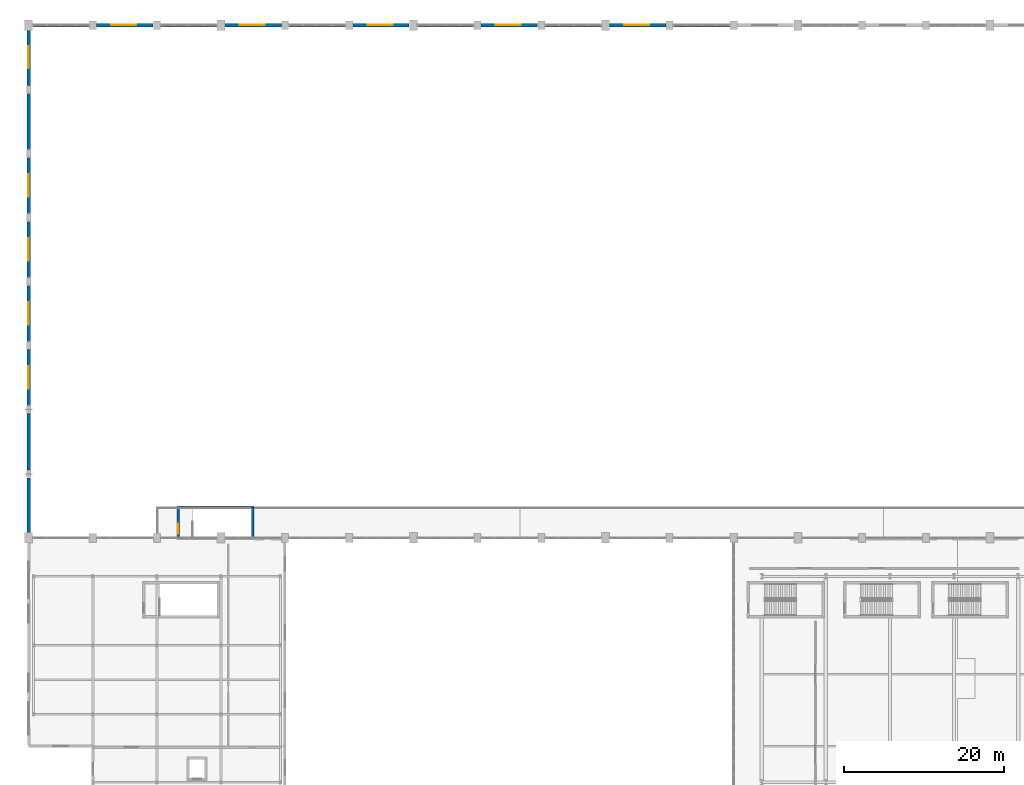
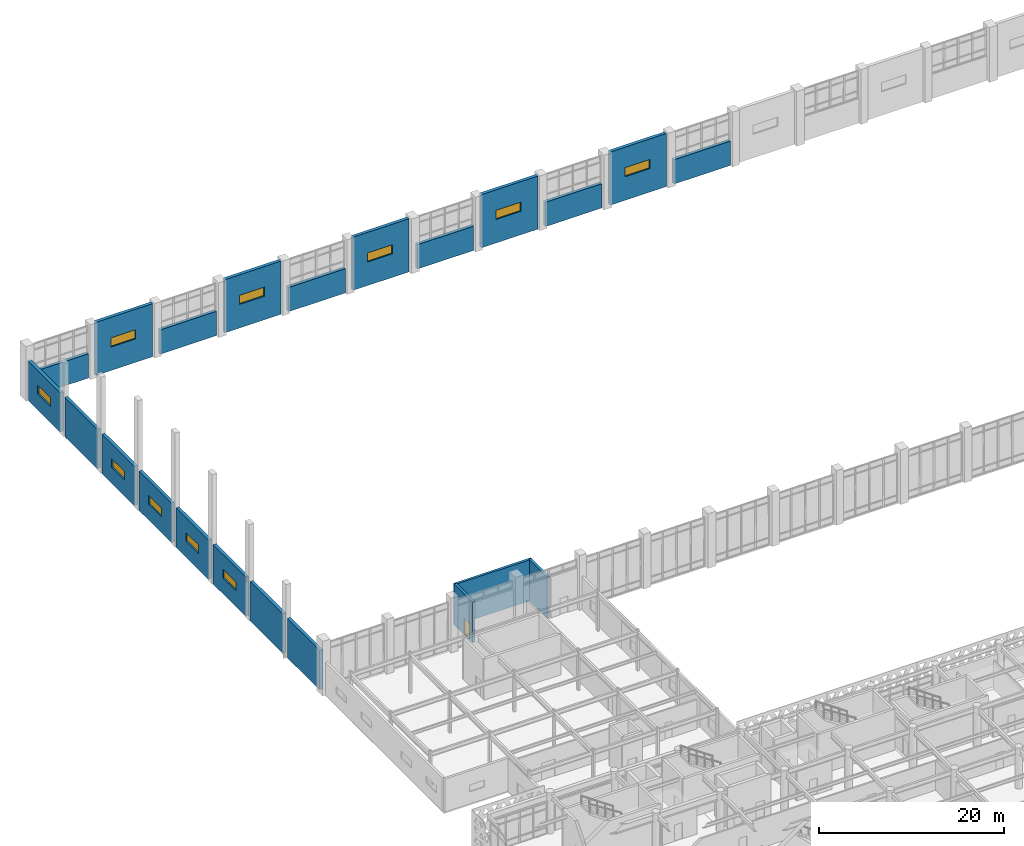
# One storey, part 66 of 84: 22 walls, 10 windows, 1 door, 11 openings.
"""IFC4 building model written with IfcOpenShell, lengths in metres."""

import ifcopenshell
import ifcopenshell.guid

model = None  # the IFC model being written
_history = None  # IfcOwnerHistory: only IFC2X3 demands one
_inside = {}  # id of a spatial element -> (the spatial element, [elements in it])
_under = {}  # id of a project, library or spatial element -> (it, [spatial elements below it])
_declared = {}  # id of a project -> (the project, [libraries it declares])
_typed = {}  # id of a type object -> (the type object, [elements of that type])
_made_of = {}  # id of a material, layer set ... -> (it, [elements and type objects made of it])


def new_model(schema):
    """Start an empty IFC model of exactly this schema.

    Asked for "IFC4X3", IfcOpenShell would pick the latest addendum, in which some entities
    have other attributes; the version numbers below select the first issue.
    IFC2X3 requires an IfcOwnerHistory on every rooted entity: one is made here for all.
    """
    global model, _history
    if schema == "IFC4X3":
        model = ifcopenshell.file(schema_version=(4, 3, 0, 0))
    else:
        model = ifcopenshell.file(schema=schema)
    _inside.clear()
    _under.clear()
    _declared.clear()
    _typed.clear()
    _made_of.clear()
    _history = None
    if model.schema == "IFC2X3":
        org = make("IfcOrganization", Name="unknown")
        user = make(
            "IfcPersonAndOrganization",
            ThePerson=make("IfcPerson", FamilyName="unknown"),
            TheOrganization=org,
        )
        app = make(
            "IfcApplication",
            ApplicationDeveloper=org,
            Version="unknown",
            ApplicationFullName="unknown",
            ApplicationIdentifier="unknown",
        )
        _history = make(
            "IfcOwnerHistory",
            OwningUser=user,
            OwningApplication=app,
            ChangeAction="ADDED",
            CreationDate=0,
        )
    return model


def make(cls, **values):
    """One entity of the class cls with the attributes given. An attribute that is None is left unset."""
    return model.create_entity(
        cls, **{name: value for name, value in values.items() if value is not None}
    )


def rooted(cls, **values):
    """An entity with a GlobalId (a new one), such as an element, a storey or a relation."""
    return make(cls, GlobalId=ifcopenshell.guid.new(), OwnerHistory=_history, **values)


def si_unit(unit_type, name, prefix=None):
    """IfcSIUnit, for example si_unit("LENGTHUNIT", "METRE", prefix="MILLI")."""
    return make("IfcSIUnit", UnitType=unit_type, Prefix=prefix, Name=name)


def assignment(units):
    """IfcUnitAssignment: the units of a project."""
    return None if units is None else make("IfcUnitAssignment", Units=units)


def point(xyz):
    """IfcCartesianPoint."""
    return None if xyz is None else make("IfcCartesianPoint", Coordinates=xyz)


def direction(xyz):
    """IfcDirection."""
    return None if xyz is None else make("IfcDirection", DirectionRatios=xyz)


def frame(location, z_axis=None, x_axis=None):
    """IfcAxis2Placement3D, a coordinate frame: its origin and axes. An axis left out is left unset."""
    return make(
        "IfcAxis2Placement3D",
        Location=point(location),
        Axis=direction(z_axis),
        RefDirection=direction(x_axis),
    )


def frame_2d(location, x_axis=None):
    """IfcAxis2Placement2D, a coordinate frame in the plane: its origin and x axis."""
    return make(
        "IfcAxis2Placement2D", Location=point(location), RefDirection=direction(x_axis)
    )


def origin():
    """The frame at (0, 0, 0) with its axes left unset."""
    return frame((0.0, 0.0, 0.0))


def place(relative_to, where):
    """IfcLocalPlacement: puts the frame where relative to a parent placement (None: the world)."""
    return make(
        "IfcLocalPlacement", PlacementRelTo=relative_to, RelativePlacement=where
    )


def context(
    kind, dimensions, precision=None, world=None, true_north=None, identifier=None
):
    """IfcGeometricRepresentationContext, for example the 3D "Model" context."""
    return make(
        "IfcGeometricRepresentationContext",
        ContextIdentifier=identifier,
        ContextType=kind,
        CoordinateSpaceDimension=dimensions,
        Precision=precision,
        WorldCoordinateSystem=world,
        TrueNorth=true_north,
    )


def subcontext(parent, identifier, kind, view, scale=None):
    """IfcGeometricRepresentationSubContext, for example "Body" below "Model"."""
    return make(
        "IfcGeometricRepresentationSubContext",
        ContextIdentifier=identifier,
        ContextType=kind,
        ParentContext=parent,
        TargetScale=scale,
        TargetView=view,
    )


def project(units=None, contexts=None):
    """IfcProject with its units and contexts."""
    return rooted(
        "IfcProject",
        Name="project",
        RepresentationContexts=contexts,
        UnitsInContext=assignment(units),
    )


def spatial(cls, under=None, at=None, **own):
    """A site, building, storey or space (cls), placed at a placement, below another one or the project."""
    s = rooted(cls, ObjectPlacement=at, **own)
    if under is not None:
        _under.setdefault(under.id(), (under, []))[1].append(s)
    return s


def profile(cls, at=None, kind="AREA", **sizes):
    """A parametric profile (cls). Its sizes go by their IFC names, for example OverallWidth=200.0."""
    return make(cls, ProfileType=kind, Position=at, **sizes)


def rectangle(**sizes):
    """IfcRectangleProfileDef."""
    return profile("IfcRectangleProfileDef", **sizes)


def extrude(swept, where, along, depth):
    """IfcExtrudedAreaSolid: the profile swept, set in the frame where, extruded along a direction by depth."""
    return make(
        "IfcExtrudedAreaSolid",
        SweptArea=swept,
        Position=where,
        ExtrudedDirection=direction(along),
        Depth=depth,
    )


def shape(context_of_items, identifier, shape_type, items):
    """IfcShapeRepresentation: the items that make up one representation, for example the "Body"."""
    return make(
        "IfcShapeRepresentation",
        ContextOfItems=context_of_items,
        RepresentationIdentifier=identifier,
        RepresentationType=shape_type,
        Items=items,
    )


def material(Name=None, Category=None):
    """IfcMaterial."""
    return make("IfcMaterial", Name=Name, Category=Category)


def layer(
    of_material, thickness, ventilated=None, Name=None, Category=None, Priority=None
):
    """IfcMaterialLayer: one layer of a wall or slab, of a material (None: an air gap)."""
    return make(
        "IfcMaterialLayer",
        Material=of_material,
        LayerThickness=thickness,
        IsVentilated=ventilated,
        Name=Name,
        Category=Category,
        Priority=Priority,
    )


def layer_set(layers, Name=None):
    """IfcMaterialLayerSet."""
    return make("IfcMaterialLayerSet", MaterialLayers=layers, LayerSetName=Name)


def made_of(thing, what):
    """Note that an element or type object is made of a material, layer set ...; save() writes the relation."""
    if what is not None:
        _made_of.setdefault(what.id(), (what, []))[1].append(thing)
    return thing


def type_object(cls, material=None, **own):
    """A type object (cls), such as IfcWallType, which elements share."""
    return made_of(rooted(cls, **own), material)


def element(
    cls,
    number,
    at=None,
    inside=None,
    cuts=None,
    type_object=None,
    material=None,
    context=None,
    identifier="Body",
    shape_type=None,
    held_by="IfcProductDefinitionShape",
    body=None,
    shapes=None,
    **own,
):
    """One element of the class cls, such as IfcWall. Its Tag is "e" and its number.

    at: its placement. inside: the storey or other place that contains it. cuts: it is an
    opening in that element (IfcRelVoidsElement). A single representation is given by context,
    identifier, shape_type and body (its items); several are given by shapes. held_by: the class
    of the entity that holds the representations. save() writes the other relations.
    """
    e = rooted(cls, Tag="e%d" % number, ObjectPlacement=at, **own)
    if body is not None:
        shapes = [shape(context, identifier, shape_type, body)]
    if shapes is not None:
        e.Representation = make(held_by, Representations=shapes)
    if inside is not None:
        _inside.setdefault(inside.id(), (inside, []))[1].append(e)
    if cuts is not None:
        rooted(
            "IfcRelVoidsElement", RelatingBuildingElement=cuts, RelatedOpeningElement=e
        )
    if type_object is not None:
        _typed.setdefault(type_object.id(), (type_object, []))[1].append(e)
    return made_of(e, material)


def fill(opening, filler):
    """IfcRelFillsElement: the door or window that sits in an opening."""
    return rooted(
        "IfcRelFillsElement",
        RelatingOpeningElement=opening,
        RelatedBuildingElement=filler,
    )


def aggregate(whole, parts):
    """IfcRelAggregates: a whole, such as a stair, and the parts it consists of."""
    return rooted("IfcRelAggregates", RelatingObject=whole, RelatedObjects=parts)


def save(model, path):
    """Write the relations noted so far, then the file.

    IfcRelAggregates (storeys below a building ...), IfcRelContainedInSpatialStructure (elements
    in a storey), IfcRelDefinesByType, IfcRelAssociatesMaterial and IfcRelDeclares: one each for
    every whole, place, type object, material and project.
    """
    for whole, parts in _under.values():
        aggregate(whole, parts)
    for where, things in _inside.values():
        rooted(
            "IfcRelContainedInSpatialStructure",
            RelatedElements=things,
            RelatingStructure=where,
        )
    for kind, things in _typed.values():
        rooted("IfcRelDefinesByType", RelatedObjects=things, RelatingType=kind)
    for what, things in _made_of.values():
        rooted("IfcRelAssociatesMaterial", RelatedObjects=things, RelatingMaterial=what)
    for by, libraries in _declared.values():
        rooted("IfcRelDeclares", RelatingContext=by, RelatedDefinitions=libraries)
    model.write(path)


model = new_model("IFC4")

# Units and contexts
model_context = context("Model", 3, precision=1e-05, world=origin(), true_north=direction((0.0, 1.0)))
body_context = subcontext(model_context, "Body", "Model", "MODEL_VIEW")
ifc_project = project(units=[si_unit("LENGTHUNIT", "METRE"), si_unit("AREAUNIT", "SQUARE_METRE"), si_unit("VOLUMEUNIT", "CUBIC_METRE"), si_unit("PLANEANGLEUNIT", "RADIAN"), si_unit("MASSUNIT", "GRAM", prefix="KILO")], contexts=[model_context])

# Site, building, storey
site_placement = place(None, origin())
site = spatial("IfcSite", under=ifc_project, at=site_placement, CompositionType="ELEMENT")
building_placement = place(site_placement, origin())
building = spatial("IfcBuilding", under=site, at=building_placement, Name="Tlacozan Convention Centre", CompositionType="ELEMENT")
storey_placement = place(building_placement, frame((0.0, 0.0, 6.0)))
storey = spatial("IfcBuildingStorey", under=building, at=storey_placement, Name="L01", CompositionType="ELEMENT", Elevation=6.0)

# Wall
ifc_material_1 = material(Name="Concrete C40/50", Category="concrete")
ifc_layer_1 = layer(ifc_material_1, 0.39990234375)
ifc_layer_set_1 = layer_set([ifc_layer_1], Name="Concrete C40/50")
wall_type_1 = type_object("IfcWallType", Name="Cantera Structural Hall Wall 400", PredefinedType="SOLIDWALL", material=ifc_layer_set_1)
wall_1_placement = place(storey_placement, frame((0.514892578125, 126.0, 0.0), z_axis=(0.0, 0.0, 1.0), x_axis=(1.0, 0.0, 0.0)))
element("IfcWall", 1, at=wall_1_placement, inside=storey, type_object=wall_type_1, Name="L01 Cantera Structural Hall Wall 400 14", PredefinedType="SOLIDWALL", context=body_context, shape_type="SweptSolid", body=[
    extrude(rectangle(XDim=7.02001953125, YDim=0.39990234375, at=frame_2d((3.510009765625, 0.0))), origin(), (0.0, 0.0, 1.0), 3.199951171875),
])

# Wall, opening, window
wall_2_placement = place(storey_placement, frame((8.465087890625, 126.0, 0.0), z_axis=(0.0, 0.0, 1.0), x_axis=(1.0, 0.0, 0.0)))
wall_2 = element("IfcWall", 2, at=wall_2_placement, inside=storey, type_object=wall_type_1, Name="L01 Cantera Structural Hall Wall 400 16", PredefinedType="SOLIDWALL", context=body_context, shape_type="SweptSolid", body=[
    extrude(rectangle(XDim=7.06982421875, YDim=0.39990234375, at=frame_2d((3.534912109375, 0.0))), origin(), (0.0, 0.0, 1.0), 7.0),
])
opening_1_placement = place(wall_2_placement, frame((1.85009765625, 0.0, 3.10009765625)))
opening_1 = element("IfcOpeningElement", 3, at=opening_1_placement, cuts=wall_2, Name="Opening WN-02", PredefinedType="OPENING", context=body_context, shape_type="SweptSolid", body=[
    extrude(rectangle(XDim=3.10009765625, YDim=1.199951171875, at=frame_2d((1.550048828125, 0.60009765625))), frame((0.0, 0.2099609375, 0.0), z_axis=(0.0, -1.0, 0.0), x_axis=(1.0, 0.0, 0.0)), (0.0, 0.0, 1.0), 0.419921875),
])
ifc_material_2 = material(Name="Solar Control Double Low-E Argon Glazing", Category="glass")
window_type_1 = type_object("IfcWindowType", Name="Exhibition North Clerestory Window 3100x1200", PartitioningType="SINGLE_PANEL", PredefinedType="WINDOW", material=ifc_material_2)
window_1_placement = place(opening_1_placement, origin())
window_1 = element("IfcWindow", 4, at=window_1_placement, inside=storey, type_object=window_type_1, Name="L01 Exhibition North Clerestory Window 3100x1200 2", OverallHeight=1.199951171875, OverallWidth=3.10009765625, PartitioningType="SINGLE_PANEL", PredefinedType="WINDOW", context=body_context, shape_type="SweptSolid", body=[
    extrude(rectangle(XDim=3.10009765625, YDim=1.199951171875, at=frame_2d((1.550048828125, 0.60009765625))), frame((0.0, 0.030029296875, 0.0), z_axis=(0.0, -1.0, 0.0), x_axis=(1.0, 0.0, 0.0)), (0.0, 0.0, 1.0), 0.06005859375),
])
fill(opening_1, window_1)

# Wall
wall_3_placement = place(storey_placement, frame((16.465087890625, 126.0, 0.0), z_axis=(0.0, 0.0, 1.0), x_axis=(1.0, 0.0, 0.0)))
element("IfcWall", 5, at=wall_3_placement, inside=storey, type_object=wall_type_1, Name="L01 Cantera Structural Hall Wall 400 18", PredefinedType="SOLIDWALL", context=body_context, shape_type="SweptSolid", body=[
    extrude(rectangle(XDim=7.02001953125, YDim=0.39990234375, at=frame_2d((3.510009765625, 0.0))), origin(), (0.0, 0.0, 1.0), 3.199951171875),
])

# Wall, opening, window
wall_4_placement = place(storey_placement, frame((24.514892578125, 126.0, 0.0), z_axis=(0.0, 0.0, 1.0), x_axis=(1.0, 0.0, 0.0)))
wall_4 = element("IfcWall", 6, at=wall_4_placement, inside=storey, type_object=wall_type_1, Name="L01 Cantera Structural Hall Wall 400 20", PredefinedType="SOLIDWALL", context=body_context, shape_type="SweptSolid", body=[
    extrude(rectangle(XDim=7.02001953125, YDim=0.39990234375, at=frame_2d((3.510009765625, 0.0))), origin(), (0.0, 0.0, 1.0), 7.0),
])
opening_2_placement = place(wall_4_placement, frame((1.85009765625, 0.0, 3.10009765625)))
opening_2 = element("IfcOpeningElement", 7, at=opening_2_placement, cuts=wall_4, Name="Opening WN-02", PredefinedType="OPENING", context=body_context, shape_type="SweptSolid", body=[
    extrude(rectangle(XDim=3.10009765625, YDim=1.199951171875, at=frame_2d((1.550048828125, 0.60009765625))), frame((0.0, 0.2099609375, 0.0), z_axis=(0.0, -1.0, 0.0), x_axis=(1.0, 0.0, 0.0)), (0.0, 0.0, 1.0), 0.419921875),
])
window_2_placement = place(opening_2_placement, origin())
window_2 = element("IfcWindow", 8, at=window_2_placement, inside=storey, type_object=window_type_1, Name="L01 Exhibition North Clerestory Window 3100x1200 3", OverallHeight=1.199951171875, OverallWidth=3.10009765625, PartitioningType="SINGLE_PANEL", PredefinedType="WINDOW", context=body_context, shape_type="SweptSolid", body=[
    extrude(rectangle(XDim=3.10009765625, YDim=1.199951171875, at=frame_2d((1.550048828125, 0.60009765625))), frame((0.0, 0.030029296875, 0.0), z_axis=(0.0, -1.0, 0.0), x_axis=(1.0, 0.0, 0.0)), (0.0, 0.0, 1.0), 0.06005859375),
])
fill(opening_2, window_2)

# Wall
wall_5_placement = place(storey_placement, frame((32.465087890625, 126.0, 0.0), z_axis=(0.0, 0.0, 1.0), x_axis=(1.0, 0.0, 0.0)))
element("IfcWall", 9, at=wall_5_placement, inside=storey, type_object=wall_type_1, Name="L01 Cantera Structural Hall Wall 400 22", PredefinedType="SOLIDWALL", context=body_context, shape_type="SweptSolid", body=[
    extrude(rectangle(XDim=7.06982421875, YDim=0.39990234375, at=frame_2d((3.534912109375, 0.0))), origin(), (0.0, 0.0, 1.0), 3.199951171875),
])

# Wall, opening, window
wall_6_placement = place(storey_placement, frame((40.465087890625, 126.0, 0.0), z_axis=(0.0, 0.0, 1.0), x_axis=(1.0, 0.0, 0.0)))
wall_6 = element("IfcWall", 10, at=wall_6_placement, inside=storey, type_object=wall_type_1, Name="L01 Cantera Structural Hall Wall 400 24", PredefinedType="SOLIDWALL", context=body_context, shape_type="SweptSolid", body=[
    extrude(rectangle(XDim=7.02001953125, YDim=0.39990234375, at=frame_2d((3.510009765625, 0.0))), origin(), (0.0, 0.0, 1.0), 7.0),
])
opening_3_placement = place(wall_6_placement, frame((1.85009765625, 0.0, 3.10009765625)))
opening_3 = element("IfcOpeningElement", 11, at=opening_3_placement, cuts=wall_6, Name="Opening WN-02", PredefinedType="OPENING", context=body_context, shape_type="SweptSolid", body=[
    extrude(rectangle(XDim=3.10009765625, YDim=1.199951171875, at=frame_2d((1.550048828125, 0.60009765625))), frame((0.0, 0.2099609375, 0.0), z_axis=(0.0, -1.0, 0.0), x_axis=(1.0, 0.0, 0.0)), (0.0, 0.0, 1.0), 0.419921875),
])
window_3_placement = place(opening_3_placement, origin())
window_3 = element("IfcWindow", 12, at=window_3_placement, inside=storey, type_object=window_type_1, Name="L01 Exhibition North Clerestory Window 3100x1200 5", OverallHeight=1.199951171875, OverallWidth=3.10009765625, PartitioningType="SINGLE_PANEL", PredefinedType="WINDOW", context=body_context, shape_type="SweptSolid", body=[
    extrude(rectangle(XDim=3.10009765625, YDim=1.199951171875, at=frame_2d((1.550048828125, 0.60009765625))), frame((0.0, 0.030029296875, 0.0), z_axis=(0.0, -1.0, 0.0), x_axis=(1.0, 0.0, 0.0)), (0.0, 0.0, 1.0), 0.06005859375),
])
fill(opening_3, window_3)

# Wall
wall_7_placement = place(storey_placement, frame((48.514892578125, 126.0, 0.0), z_axis=(0.0, 0.0, 1.0), x_axis=(1.0, 0.0, 0.0)))
element("IfcWall", 13, at=wall_7_placement, inside=storey, type_object=wall_type_1, Name="L01 Cantera Structural Hall Wall 400 26", PredefinedType="SOLIDWALL", context=body_context, shape_type="SweptSolid", body=[
    extrude(rectangle(XDim=7.02001953125, YDim=0.39990234375, at=frame_2d((3.510009765625, 0.0))), origin(), (0.0, 0.0, 1.0), 3.199951171875),
])

# Wall, opening, window
wall_8_placement = place(storey_placement, frame((56.465087890625, 126.0, 0.0), z_axis=(0.0, 0.0, 1.0), x_axis=(1.0, 0.0, 0.0)))
wall_8 = element("IfcWall", 14, at=wall_8_placement, inside=storey, type_object=wall_type_1, Name="L01 Cantera Structural Hall Wall 400 28", PredefinedType="SOLIDWALL", context=body_context, shape_type="SweptSolid", body=[
    extrude(rectangle(XDim=7.06982421875, YDim=0.39990234375, at=frame_2d((3.534912109375, 0.0))), origin(), (0.0, 0.0, 1.0), 7.0),
])
opening_4_placement = place(wall_8_placement, frame((1.85009765625, 0.0, 3.10009765625)))
opening_4 = element("IfcOpeningElement", 15, at=opening_4_placement, cuts=wall_8, Name="Opening WN-02", PredefinedType="OPENING", context=body_context, shape_type="SweptSolid", body=[
    extrude(rectangle(XDim=3.10009765625, YDim=1.199951171875, at=frame_2d((1.550048828125, 0.60009765625))), frame((0.0, 0.2099609375, 0.0), z_axis=(0.0, -1.0, 0.0), x_axis=(1.0, 0.0, 0.0)), (0.0, 0.0, 1.0), 0.419921875),
])
window_4_placement = place(opening_4_placement, origin())
window_4 = element("IfcWindow", 16, at=window_4_placement, inside=storey, type_object=window_type_1, Name="L01 Exhibition North Clerestory Window 3100x1200 7", OverallHeight=1.199951171875, OverallWidth=3.10009765625, PartitioningType="SINGLE_PANEL", PredefinedType="WINDOW", context=body_context, shape_type="SweptSolid", body=[
    extrude(rectangle(XDim=3.10009765625, YDim=1.199951171875, at=frame_2d((1.550048828125, 0.60009765625))), frame((0.0, 0.030029296875, 0.0), z_axis=(0.0, -1.0, 0.0), x_axis=(1.0, 0.0, 0.0)), (0.0, 0.0, 1.0), 0.06005859375),
])
fill(opening_4, window_4)

# Wall
wall_9_placement = place(storey_placement, frame((64.465087890625, 126.0, 0.0), z_axis=(0.0, 0.0, 1.0), x_axis=(1.0, 0.0, 0.0)))
element("IfcWall", 17, at=wall_9_placement, inside=storey, type_object=wall_type_1, Name="L01 Cantera Structural Hall Wall 400 30", PredefinedType="SOLIDWALL", context=body_context, shape_type="SweptSolid", body=[
    extrude(rectangle(XDim=7.02001953125, YDim=0.39990234375, at=frame_2d((3.510009765625, 0.0))), origin(), (0.0, 0.0, 1.0), 3.199951171875),
])

# Wall, opening, window
wall_10_placement = place(storey_placement, frame((72.514892578125, 126.0, 0.0), z_axis=(0.0, 0.0, 1.0), x_axis=(1.0, 0.0, 0.0)))
wall_10 = element("IfcWall", 18, at=wall_10_placement, inside=storey, type_object=wall_type_1, Name="L01 Cantera Structural Hall Wall 400 32", PredefinedType="SOLIDWALL", context=body_context, shape_type="SweptSolid", body=[
    extrude(rectangle(XDim=7.02001953125, YDim=0.39990234375, at=frame_2d((3.510009765625, 0.0))), origin(), (0.0, 0.0, 1.0), 7.0),
])
opening_5_placement = place(wall_10_placement, frame((1.85009765625, 0.0, 3.10009765625)))
opening_5 = element("IfcOpeningElement", 19, at=opening_5_placement, cuts=wall_10, Name="Opening WN-02", PredefinedType="OPENING", context=body_context, shape_type="SweptSolid", body=[
    extrude(rectangle(XDim=3.10009765625, YDim=1.199951171875, at=frame_2d((1.550048828125, 0.60009765625))), frame((0.0, 0.2099609375, 0.0), z_axis=(0.0, -1.0, 0.0), x_axis=(1.0, 0.0, 0.0)), (0.0, 0.0, 1.0), 0.419921875),
])
window_5_placement = place(opening_5_placement, origin())
window_5 = element("IfcWindow", 20, at=window_5_placement, inside=storey, type_object=window_type_1, Name="L01 Exhibition North Clerestory Window 3100x1200 9", OverallHeight=1.199951171875, OverallWidth=3.10009765625, PartitioningType="SINGLE_PANEL", PredefinedType="WINDOW", context=body_context, shape_type="SweptSolid", body=[
    extrude(rectangle(XDim=3.10009765625, YDim=1.199951171875, at=frame_2d((1.550048828125, 0.60009765625))), frame((0.0, 0.030029296875, 0.0), z_axis=(0.0, -1.0, 0.0), x_axis=(1.0, 0.0, 0.0)), (0.0, 0.0, 1.0), 0.06005859375),
])
fill(opening_5, window_5)

# Walls
wall_11_placement = place(storey_placement, frame((80.465087890625, 126.0, 0.0), z_axis=(0.0, 0.0, 1.0), x_axis=(1.0, 0.0, 0.0)))
element("IfcWall", 21, at=wall_11_placement, inside=storey, type_object=wall_type_1, Name="L01 Cantera Structural Hall Wall 400 34", PredefinedType="SOLIDWALL", context=body_context, shape_type="SweptSolid", body=[
    extrude(rectangle(XDim=7.06982421875, YDim=0.39990234375, at=frame_2d((3.534912109375, 0.0))), origin(), (0.0, 0.0, 1.0), 3.199951171875),
])
for number, where, z_axis, x_axis, name in (
    (22, (0.0, 62.5, 0.0), (0.0, 0.0, 1.0), (0.0, 1.0, 0.0), "L01 Cantera Structural Hall Wall 400 56"),
    (23, (0.0, 70.5, 0.0), (0.0, 0.0, 1.0), (0.0, 1.0, 0.0), "L01 Cantera Structural Hall Wall 400 58"),
):
    element("IfcWall", number, at=place(storey_placement, frame(where, z_axis=z_axis, x_axis=x_axis)), inside=storey, type_object=wall_type_1, Name=name, PredefinedType="SOLIDWALL", context=body_context, shape_type="SweptSolid", body=[
        extrude(rectangle(XDim=7.0, YDim=0.39990234375, at=frame_2d((3.5, 0.0))), origin(), (0.0, 0.0, 1.0), 5.199951171875),
    ])

# Wall, opening, window
wall_12_placement = place(storey_placement, frame((0.0, 78.5, 0.0), z_axis=(0.0, 0.0, 1.0), x_axis=(0.0, 1.0, 0.0)))
wall_12 = element("IfcWall", 24, at=wall_12_placement, inside=storey, type_object=wall_type_1, Name="L01 Cantera Structural Hall Wall 400 60", PredefinedType="SOLIDWALL", context=body_context, shape_type="SweptSolid", body=[
    extrude(rectangle(XDim=7.0, YDim=0.39990234375, at=frame_2d((3.5, 0.0))), origin(), (0.0, 0.0, 1.0), 5.199951171875),
])
opening_6_placement = place(wall_12_placement, frame((2.10009765625, 0.0, 2.10009765625)))
opening_6 = element("IfcOpeningElement", 25, at=opening_6_placement, cuts=wall_12, Name="Opening WN-03", PredefinedType="OPENING", context=body_context, shape_type="SweptSolid", body=[
    extrude(rectangle(XDim=2.800048828125, YDim=1.14990234375, at=frame_2d((1.39990234375, 0.574951171875))), frame((0.0, 0.2099609375, 0.0), z_axis=(0.0, -1.0, 0.0), x_axis=(1.0, 0.0, 0.0)), (0.0, 0.0, 1.0), 0.419921875),
])
window_type_2 = type_object("IfcWindowType", Name="Exhibition Gable Clerestory Window 2800x1150", PartitioningType="SINGLE_PANEL", PredefinedType="WINDOW", material=ifc_material_2)
window_6_placement = place(opening_6_placement, origin())
window_6 = element("IfcWindow", 26, at=window_6_placement, inside=storey, type_object=window_type_2, Name="L01 Exhibition Gable Clerestory Window 2800x1150 24", OverallHeight=1.14990234375, OverallWidth=2.800048828125, PartitioningType="SINGLE_PANEL", PredefinedType="WINDOW", context=body_context, shape_type="SweptSolid", body=[
    extrude(rectangle(XDim=2.800048828125, YDim=1.14990234375, at=frame_2d((1.39990234375, 0.574951171875))), frame((0.0, 0.030029296875, 0.0), z_axis=(0.0, -1.0, 0.0), x_axis=(1.0, 0.0, 0.0)), (0.0, 0.0, 1.0), 0.06005859375),
])
fill(opening_6, window_6)

wall_13_placement = place(storey_placement, frame((0.0, 86.5, 0.0), z_axis=(0.0, 0.0, 1.0), x_axis=(0.0, 1.0, 0.0)))
wall_13 = element("IfcWall", 27, at=wall_13_placement, inside=storey, type_object=wall_type_1, Name="L01 Cantera Structural Hall Wall 400 62", PredefinedType="SOLIDWALL", context=body_context, shape_type="SweptSolid", body=[
    extrude(rectangle(XDim=7.0, YDim=0.39990234375, at=frame_2d((3.5, 0.0))), origin(), (0.0, 0.0, 1.0), 5.199951171875),
])
opening_7_placement = place(wall_13_placement, frame((2.10009765625, 0.0, 2.10009765625)))
opening_7 = element("IfcOpeningElement", 28, at=opening_7_placement, cuts=wall_13, Name="Opening WN-03", PredefinedType="OPENING", context=body_context, shape_type="SweptSolid", body=[
    extrude(rectangle(XDim=2.800048828125, YDim=1.14990234375, at=frame_2d((1.39990234375, 0.574951171875))), frame((0.0, 0.2099609375, 0.0), z_axis=(0.0, -1.0, 0.0), x_axis=(1.0, 0.0, 0.0)), (0.0, 0.0, 1.0), 0.419921875),
])
window_7_placement = place(opening_7_placement, origin())
window_7 = element("IfcWindow", 29, at=window_7_placement, inside=storey, type_object=window_type_2, Name="L01 Exhibition Gable Clerestory Window 2800x1150 26", OverallHeight=1.14990234375, OverallWidth=2.800048828125, PartitioningType="SINGLE_PANEL", PredefinedType="WINDOW", context=body_context, shape_type="SweptSolid", body=[
    extrude(rectangle(XDim=2.800048828125, YDim=1.14990234375, at=frame_2d((1.39990234375, 0.574951171875))), frame((0.0, 0.030029296875, 0.0), z_axis=(0.0, -1.0, 0.0), x_axis=(1.0, 0.0, 0.0)), (0.0, 0.0, 1.0), 0.06005859375),
])
fill(opening_7, window_7)

wall_14_placement = place(storey_placement, frame((0.0, 94.5, 0.0), z_axis=(0.0, 0.0, 1.0), x_axis=(0.0, 1.0, 0.0)))
wall_14 = element("IfcWall", 30, at=wall_14_placement, inside=storey, type_object=wall_type_1, Name="L01 Cantera Structural Hall Wall 400 64", PredefinedType="SOLIDWALL", context=body_context, shape_type="SweptSolid", body=[
    extrude(rectangle(XDim=7.0, YDim=0.39990234375, at=frame_2d((3.5, 0.0))), origin(), (0.0, 0.0, 1.0), 5.199951171875),
])
opening_8_placement = place(wall_14_placement, frame((2.10009765625, 0.0, 2.10009765625)))
opening_8 = element("IfcOpeningElement", 31, at=opening_8_placement, cuts=wall_14, Name="Opening WN-03", PredefinedType="OPENING", context=body_context, shape_type="SweptSolid", body=[
    extrude(rectangle(XDim=2.800048828125, YDim=1.14990234375, at=frame_2d((1.39990234375, 0.574951171875))), frame((0.0, 0.2099609375, 0.0), z_axis=(0.0, -1.0, 0.0), x_axis=(1.0, 0.0, 0.0)), (0.0, 0.0, 1.0), 0.419921875),
])
window_8_placement = place(opening_8_placement, origin())
window_8 = element("IfcWindow", 32, at=window_8_placement, inside=storey, type_object=window_type_2, Name="L01 Exhibition Gable Clerestory Window 2800x1150 28", OverallHeight=1.14990234375, OverallWidth=2.800048828125, PartitioningType="SINGLE_PANEL", PredefinedType="WINDOW", context=body_context, shape_type="SweptSolid", body=[
    extrude(rectangle(XDim=2.800048828125, YDim=1.14990234375, at=frame_2d((1.39990234375, 0.574951171875))), frame((0.0, 0.030029296875, 0.0), z_axis=(0.0, -1.0, 0.0), x_axis=(1.0, 0.0, 0.0)), (0.0, 0.0, 1.0), 0.06005859375),
])
fill(opening_8, window_8)

wall_15_placement = place(storey_placement, frame((0.0, 102.5, 0.0), z_axis=(0.0, 0.0, 1.0), x_axis=(0.0, 1.0, 0.0)))
wall_15 = element("IfcWall", 33, at=wall_15_placement, inside=storey, type_object=wall_type_1, Name="L01 Cantera Structural Hall Wall 400 66", PredefinedType="SOLIDWALL", context=body_context, shape_type="SweptSolid", body=[
    extrude(rectangle(XDim=7.0, YDim=0.39990234375, at=frame_2d((3.5, 0.0))), origin(), (0.0, 0.0, 1.0), 5.199951171875),
])
opening_9_placement = place(wall_15_placement, frame((2.10009765625, 0.0, 2.10009765625)))
opening_9 = element("IfcOpeningElement", 34, at=opening_9_placement, cuts=wall_15, Name="Opening WN-03", PredefinedType="OPENING", context=body_context, shape_type="SweptSolid", body=[
    extrude(rectangle(XDim=2.800048828125, YDim=1.14990234375, at=frame_2d((1.39990234375, 0.574951171875))), frame((0.0, 0.2099609375, 0.0), z_axis=(0.0, -1.0, 0.0), x_axis=(1.0, 0.0, 0.0)), (0.0, 0.0, 1.0), 0.419921875),
])
window_9_placement = place(opening_9_placement, origin())
window_9 = element("IfcWindow", 35, at=window_9_placement, inside=storey, type_object=window_type_2, Name="L01 Exhibition Gable Clerestory Window 2800x1150 29", OverallHeight=1.14990234375, OverallWidth=2.800048828125, PartitioningType="SINGLE_PANEL", PredefinedType="WINDOW", context=body_context, shape_type="SweptSolid", body=[
    extrude(rectangle(XDim=2.800048828125, YDim=1.14990234375, at=frame_2d((1.39990234375, 0.574951171875))), frame((0.0, 0.030029296875, 0.0), z_axis=(0.0, -1.0, 0.0), x_axis=(1.0, 0.0, 0.0)), (0.0, 0.0, 1.0), 0.06005859375),
])
fill(opening_9, window_9)

# Wall
wall_16_placement = place(storey_placement, frame((0.0, 110.5, 0.0), z_axis=(0.0, 0.0, 1.0), x_axis=(0.0, 1.0, 0.0)))
element("IfcWall", 36, at=wall_16_placement, inside=storey, type_object=wall_type_1, Name="L01 Cantera Structural Hall Wall 400 68", PredefinedType="SOLIDWALL", context=body_context, shape_type="SweptSolid", body=[
    extrude(rectangle(XDim=7.0, YDim=0.39990234375, at=frame_2d((3.5, 0.0))), origin(), (0.0, 0.0, 1.0), 5.199951171875),
])

# Wall, opening, window
wall_17_placement = place(storey_placement, frame((0.0, 118.5, 0.0), z_axis=(0.0, 0.0, 1.0), x_axis=(0.0, 1.0, 0.0)))
wall_17 = element("IfcWall", 37, at=wall_17_placement, inside=storey, type_object=wall_type_1, Name="L01 Cantera Structural Hall Wall 400 70", PredefinedType="SOLIDWALL", context=body_context, shape_type="SweptSolid", body=[
    extrude(rectangle(XDim=7.0, YDim=0.39990234375, at=frame_2d((3.5, 0.0))), origin(), (0.0, 0.0, 1.0), 5.199951171875),
])
opening_10_placement = place(wall_17_placement, frame((2.10009765625, 0.0, 2.10009765625)))
opening_10 = element("IfcOpeningElement", 38, at=opening_10_placement, cuts=wall_17, Name="Opening WN-03", PredefinedType="OPENING", context=body_context, shape_type="SweptSolid", body=[
    extrude(rectangle(XDim=2.800048828125, YDim=1.14990234375, at=frame_2d((1.39990234375, 0.574951171875))), frame((0.0, 0.2099609375, 0.0), z_axis=(0.0, -1.0, 0.0), x_axis=(1.0, 0.0, 0.0)), (0.0, 0.0, 1.0), 0.419921875),
])
window_10_placement = place(opening_10_placement, origin())
window_10 = element("IfcWindow", 39, at=window_10_placement, inside=storey, type_object=window_type_2, Name="L01 Exhibition Gable Clerestory Window 2800x1150 31", OverallHeight=1.14990234375, OverallWidth=2.800048828125, PartitioningType="SINGLE_PANEL", PredefinedType="WINDOW", context=body_context, shape_type="SweptSolid", body=[
    extrude(rectangle(XDim=2.800048828125, YDim=1.14990234375, at=frame_2d((1.39990234375, 0.574951171875))), frame((0.0, 0.030029296875, 0.0), z_axis=(0.0, -1.0, 0.0), x_axis=(1.0, 0.0, 0.0)), (0.0, 0.0, 1.0), 0.06005859375),
])
fill(opening_10, window_10)

# Wall
ifc_layer_2 = layer(ifc_material_1, 0.31005859375)
ifc_layer_set_2 = layer_set([ifc_layer_2], Name="Concrete C40/50")
wall_type_2 = type_object("IfcWallType", Name="Stair Shaft Shear Wall RC 310", PredefinedType="SHEAR", material=ifc_layer_set_2)
wall_18_placement = place(storey_placement, frame((18.485107421875, 65.860107421875, 0.0), z_axis=(0.0, 0.0, 1.0), x_axis=(1.0, 0.0, 0.0)))
element("IfcWall", 40, at=wall_18_placement, inside=storey, type_object=wall_type_2, Name="L01 Stair Shaft Shear Wall RC 310 490", PredefinedType="SHEAR", context=body_context, shape_type="SweptSolid", body=[
    extrude(rectangle(XDim=9.6298828125, YDim=0.31005859375, at=frame_2d((4.81494140625, 0.0))), origin(), (0.0, 0.0, 1.0), 5.39990234375),
])

# Wall, opening, door
wall_19_placement = place(storey_placement, frame((18.639892578125, 61.93994140625, 0.0), z_axis=(0.0, 0.0, 1.0), x_axis=(0.0, 1.0, 0.0)))
wall_19 = element("IfcWall", 41, at=wall_19_placement, inside=storey, type_object=wall_type_2, Name="L01 Stair Shaft Shear Wall RC 310 491", PredefinedType="SHEAR", context=body_context, shape_type="SweptSolid", body=[
    extrude(rectangle(XDim=3.920166015625, YDim=0.31005859375, at=frame_2d((1.9599609375, 0.0))), origin(), (0.0, 0.0, 1.0), 5.39990234375),
])
opening_11_placement = place(wall_19_placement, frame((0.550048828125, 0.0, 0.0)))
opening_11 = element("IfcOpeningElement", 42, at=opening_11_placement, cuts=wall_19, Name="Opening FD-05", PredefinedType="OPENING", context=body_context, shape_type="SweptSolid", body=[
    extrude(rectangle(XDim=1.25, YDim=2.199951171875, at=frame_2d((0.625, 1.10009765625))), frame((0.0, 0.1650390625, 0.0), z_axis=(0.0, -1.0, 0.0), x_axis=(1.0, 0.0, 0.0)), (0.0, 0.0, 1.0), 0.330078125),
])
ifc_material_3 = material(Name="Fire-Rated Insulated Steel Door Leaf", Category="steel")
door_type = type_object("IfcDoorType", Name="Fire Door Wide Stair 1250x2200 FD90", OperationType="NOTDEFINED", PredefinedType="DOOR", material=ifc_material_3)
door_placement = place(opening_11_placement, origin())
door = element("IfcDoor", 43, at=door_placement, inside=storey, type_object=door_type, Name="L01 Stair ST-10 Access Door", OperationType="SINGLE_SWING_LEFT", OverallHeight=2.199951171875, OverallWidth=1.25, PredefinedType="DOOR", context=body_context, shape_type="SweptSolid", body=[
    extrude(rectangle(XDim=1.25, YDim=2.199951171875, at=frame_2d((0.625, 1.10009765625))), frame((0.0, 0.02490234375, 0.0), z_axis=(0.0, -1.0, 0.0), x_axis=(1.0, 0.0, 0.0)), (0.0, 0.0, 1.0), 0.050048828125),
])
fill(opening_11, door)

# Wall
wall_20_placement = place(storey_placement, frame((27.9599609375, 61.93994140625, 0.0), z_axis=(0.0, 0.0, 1.0), x_axis=(0.0, 1.0, 0.0)))
element("IfcWall", 44, at=wall_20_placement, inside=storey, type_object=wall_type_2, Name="L01 Stair Shaft Shear Wall RC 310 492", PredefinedType="SHEAR", context=body_context, shape_type="SweptSolid", body=[
    extrude(rectangle(XDim=3.920166015625, YDim=0.31005859375, at=frame_2d((1.9599609375, 0.0))), origin(), (0.0, 0.0, 1.0), 5.39990234375),
])

save(model, "model.ifc")
